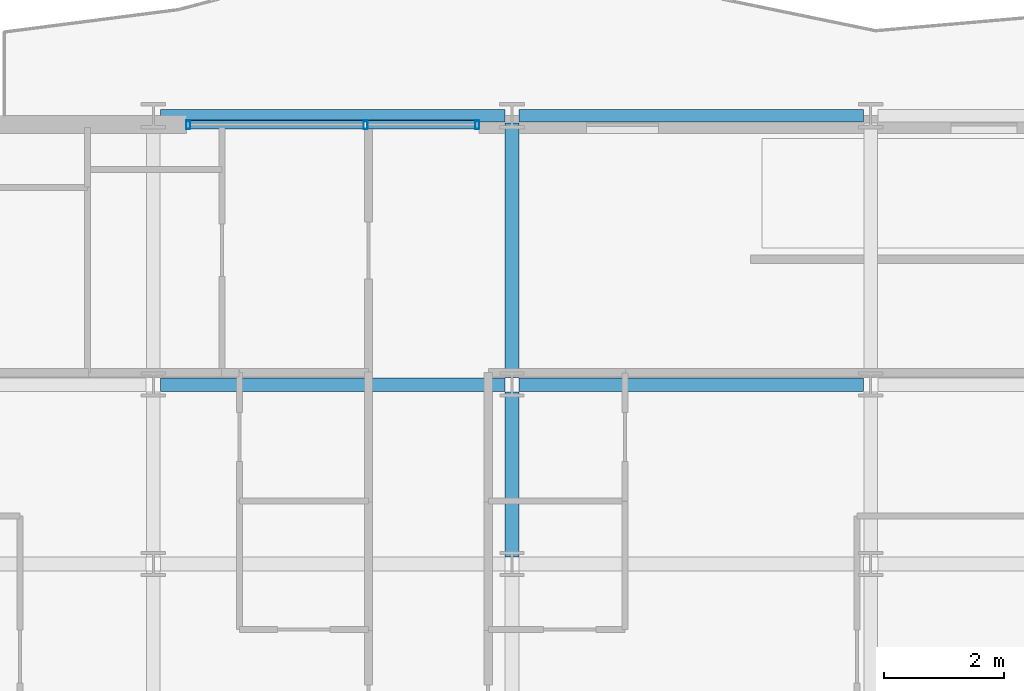
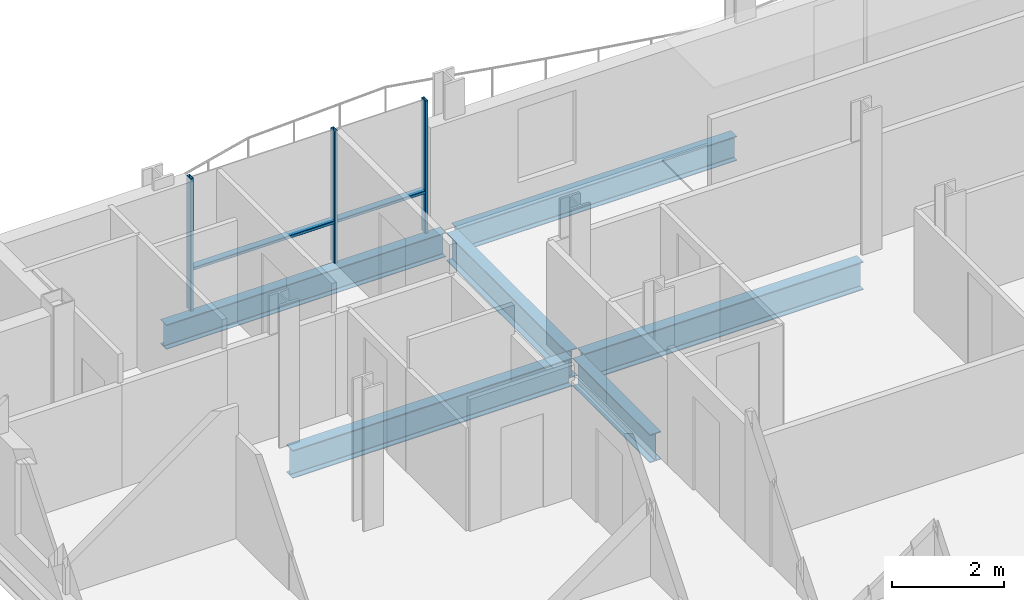
# One storey, part 7 of 39: 6 beams, 5 members, 1 element without a shape of its own.
"""IFC4 building model written with IfcOpenShell, lengths in metres."""

from ifc_helpers import new_model, si_unit, direction, frame, origin, origin_2d, place, context, subcontext, project, spatial, hollow_rectangle, i_section, extrude, material, layer, layer_set, material_profile, profile_set, type_object, element, aggregate, save


model = new_model("IFC4")

# Units and contexts
model_context = context("Model", 3, precision=1e-05, world=origin(), true_north=direction((0.0, 1.0)))
body_context = subcontext(model_context, "Body", "Model", "MODEL_VIEW")
ifc_project = project(units=[si_unit("LENGTHUNIT", "METRE"), si_unit("AREAUNIT", "SQUARE_METRE"), si_unit("VOLUMEUNIT", "CUBIC_METRE"), si_unit("PLANEANGLEUNIT", "RADIAN"), si_unit("MASSUNIT", "GRAM", prefix="KILO")], contexts=[model_context])

# Site, building, storey
site_placement = place(None, origin())
site = spatial("IfcSite", under=ifc_project, at=site_placement, CompositionType="ELEMENT")
building_placement = place(site_placement, origin())
building = spatial("IfcBuilding", under=site, at=building_placement, Name="Brevholm Reach", CompositionType="ELEMENT")
storey_placement = place(building_placement, frame((0.0, 0.0, 115.89990234375)))
storey = spatial("IfcBuildingStorey", under=building, at=storey_placement, Name="L34", CompositionType="ELEMENT", Elevation=115.89990234375)

# Beams
ifc_material_1 = material(Name="Structural Steel S355J2", Category="steel")
ifc_material_profile_1 = material_profile(ifc_material_1, i_section(OverallWidth=0.209228515625, OverallDepth=0.533203125, WebThickness=0.010009765625, FlangeThickness=0.015625, FilletRadius=0.0126953125, at=origin_2d()), Name="UKB 533x210x92")
ifc_profile_set_1 = profile_set([ifc_material_profile_1], Name="Structural Steel S355J2")
beam_type_1 = type_object("IfcBeamType", Name="BM-SP533", PredefinedType="SPANDREL", material=ifc_profile_set_1)
for number, where, z_axis, x_axis, name in (
    (1, (6.1201171875, 31.0, -0.486572265625), (1.0, 0.0, 0.0), (0.0, 1.0, 0.0), "L34 SP-02 Framing Beam"),
    (2, (12.1201171875, 31.0, -0.486572265625), (1.0, 0.0, 0.0), (0.0, 1.0, 0.0), "L34 SP-02 Framing Beam"),
):
    element("IfcBeam", number, at=place(storey_placement, frame(where, z_axis=z_axis, x_axis=x_axis)), inside=storey, type_object=beam_type_1, Name=name, PredefinedType="SPANDREL", context=body_context, shape_type="SweptSolid", body=[
        extrude(i_section(OverallWidth=0.209228515625, OverallDepth=0.533203125, WebThickness=0.010009765625, FlangeThickness=0.015625, FilletRadius=0.0126953125, at=origin_2d()), origin(), (0.0, 0.0, 1.0), 5.759765625),
    ])
ifc_material_2 = material(Name="Structural Steel S355J2", Category="steel")
ifc_material_profile_2 = material_profile(ifc_material_2, i_section(OverallWidth=0.22900390625, OverallDepth=0.6123046875, WebThickness=0.011962890625, FlangeThickness=0.01953125, FilletRadius=0.0126953125, at=origin_2d()), Name="UKB 610x229x125")
ifc_profile_set_2 = profile_set([ifc_material_profile_2], Name="Structural Steel S355J2")
beam_type_2 = type_object("IfcBeamType", Name="BM-SP610", PredefinedType="SPANDREL", material=ifc_profile_set_2)
for number, where, z_axis, x_axis, name in (
    (3, (6.1201171875, 26.5, -0.526123046875), (1.0, 0.0, 0.0), (0.0, 1.0, 0.0), "L34 SP-01 Framing Beam"),
    (4, (12.1201171875, 26.5, -0.526123046875), (1.0, 0.0, 0.0), (0.0, 1.0, 0.0), "L34 SP-01 Framing Beam"),
):
    element("IfcBeam", number, at=place(storey_placement, frame(where, z_axis=z_axis, x_axis=x_axis)), inside=storey, type_object=beam_type_2, Name=name, PredefinedType="SPANDREL", context=body_context, shape_type="SweptSolid", body=[
        extrude(i_section(OverallWidth=0.22900390625, OverallDepth=0.6123046875, WebThickness=0.011962890625, FlangeThickness=0.01953125, FilletRadius=0.0126953125, at=origin_2d()), origin(), (0.0, 0.0, 1.0), 5.759765625),
    ])
beam_1_placement = place(storey_placement, frame((12.0, 23.6201171875, -0.526123046875), z_axis=(0.0, 1.0, 0.0), x_axis=(-1.0, 0.0, 0.0)))
element("IfcBeam", 5, at=beam_1_placement, inside=storey, type_object=beam_type_2, Name="L34 SP-01 Framing Beam", PredefinedType="SPANDREL", context=body_context, shape_type="SweptSolid", body=[
    extrude(i_section(OverallWidth=0.22900390625, OverallDepth=0.6123046875, WebThickness=0.011962890625, FlangeThickness=0.01953125, FilletRadius=0.0126953125, at=origin_2d()), origin(), (0.0, 0.0, 1.0), 2.759765625),
])
beam_2_placement = place(storey_placement, frame((12.0, 26.6201171875, -0.526123046875), z_axis=(0.0, 1.0, 0.0), x_axis=(-1.0, 0.0, 0.0)))
element("IfcBeam", 6, at=beam_2_placement, inside=storey, type_object=beam_type_2, Name="L34 SP-01 Framing Beam", PredefinedType="SPANDREL", context=body_context, shape_type="SweptSolid", body=[
    extrude(i_section(OverallWidth=0.22900390625, OverallDepth=0.6123046875, WebThickness=0.011962890625, FlangeThickness=0.01953125, FilletRadius=0.0126953125, at=origin_2d()), origin(), (0.0, 0.0, 1.0), 4.259765625),
])

# Curtain wall, members
ifc_material_3 = material(Name="Dark Anodised Aluminium 6063-T6 and Solar-Control Glass", Category="aluminium")
ifc_layer = layer(ifc_material_3, 0.14990234375)
ifc_layer_set = layer_set([ifc_layer], Name="Dark Anodised Aluminium 6063-T6 and Solar-Control Glass")
curtain_wall_type = type_object("IfcCurtainWallType", Name="CW-01", PredefinedType="NOTDEFINED", material=ifc_layer_set)
curtain_wall_placement = place(storey_placement, origin())
curtain_wall = element("IfcCurtainWall", 7, at=curtain_wall_placement, inside=storey, type_object=curtain_wall_type, Name="L34 Curtain Wall CW-01", PredefinedType="NOTDEFINED")
ifc_material_4 = material(Name="Dark Anodised Aluminium 6063-T6", Category="aluminium")
ifc_material_profile_3 = material_profile(ifc_material_4, hollow_rectangle(XDim=0.06494140625, YDim=0.14990234375, WallThickness=0.0048828125, InnerFilletRadius=0.0048828125, OuterFilletRadius=0.010009765625, at=origin_2d()), Name="RHS 150x65x5")
ifc_profile_set_3 = profile_set([ifc_material_profile_3], Name="Dark Anodised Aluminium 6063-T6")
member_type_1 = type_object("IfcMemberType", Name="CWM-150", PredefinedType="MULLION", material=ifc_profile_set_3)
member_1_placement = place(storey_placement, frame((6.58251953125, 30.85009765625, 0.0), z_axis=(0.0, 0.0, 1.0), x_axis=(1.0, 0.0, 0.0)))
member_1 = element("IfcMember", 8, at=member_1_placement, type_object=member_type_1, Name="CM-150 Mullion 1", PredefinedType="MULLION", context=body_context, shape_type="SweptSolid", body=[
    extrude(hollow_rectangle(XDim=0.06494140625, YDim=0.14990234375, WallThickness=0.0048828125, InnerFilletRadius=0.0048828125, OuterFilletRadius=0.010009765625, at=origin_2d()), origin(), (0.0, 0.0, 1.0), 2.880126953125),
])
member_2_placement = place(storey_placement, frame((9.550048828125, 30.85009765625, 0.0), z_axis=(0.0, 0.0, 1.0), x_axis=(1.0, 0.0, 0.0)))
member_2 = element("IfcMember", 9, at=member_2_placement, type_object=member_type_1, Name="CM-150 Mullion 2", PredefinedType="MULLION", context=body_context, shape_type="SweptSolid", body=[
    extrude(hollow_rectangle(XDim=0.06494140625, YDim=0.14990234375, WallThickness=0.0048828125, InnerFilletRadius=0.0048828125, OuterFilletRadius=0.010009765625, at=origin_2d()), origin(), (0.0, 0.0, 1.0), 2.880126953125),
])
member_3_placement = place(storey_placement, frame((11.41748046875, 30.85009765625, 0.0), z_axis=(0.0, 0.0, 1.0), x_axis=(1.0, 0.0, 0.0)))
member_3 = element("IfcMember", 10, at=member_3_placement, type_object=member_type_1, Name="CM-150 Mullion 3", PredefinedType="MULLION", context=body_context, shape_type="SweptSolid", body=[
    extrude(hollow_rectangle(XDim=0.06494140625, YDim=0.14990234375, WallThickness=0.0048828125, InnerFilletRadius=0.0048828125, OuterFilletRadius=0.010009765625, at=origin_2d()), origin(), (0.0, 0.0, 1.0), 2.880126953125),
])
ifc_material_5 = material(Name="Dark Anodised Aluminium 6063-T6", Category="aluminium")
ifc_material_profile_4 = material_profile(ifc_material_5, hollow_rectangle(XDim=0.06494140625, YDim=0.14990234375, WallThickness=0.0048828125, InnerFilletRadius=0.0048828125, OuterFilletRadius=0.010009765625, at=origin_2d()), Name="RHS 150x65x5")
ifc_profile_set_4 = profile_set([ifc_material_profile_4], Name="Dark Anodised Aluminium 6063-T6")
member_type_2 = type_object("IfcMemberType", Name="CWT-150", PredefinedType="NOTDEFINED", material=ifc_profile_set_4)
member_4_placement = place(storey_placement, frame((6.614990234375, 30.85009765625, 0.900146484375), z_axis=(1.0, 0.0, 0.0), x_axis=(0.0, 0.0, 1.0)))
member_4 = element("IfcMember", 11, at=member_4_placement, type_object=member_type_2, Name="CT-150 Transom 1.1", ObjectType="TRANSOM", PredefinedType="USERDEFINED", context=body_context, shape_type="SweptSolid", body=[
    extrude(hollow_rectangle(XDim=0.06494140625, YDim=0.14990234375, WallThickness=0.0048828125, InnerFilletRadius=0.0048828125, OuterFilletRadius=0.010009765625, at=origin_2d()), origin(), (0.0, 0.0, 1.0), 2.902587890625),
])
member_5_placement = place(storey_placement, frame((9.58251953125, 30.85009765625, 0.900146484375), z_axis=(1.0, 0.0, 0.0), x_axis=(0.0, 0.0, 1.0)))
member_5 = element("IfcMember", 12, at=member_5_placement, type_object=member_type_2, Name="CT-150 Transom 2.1", ObjectType="TRANSOM", PredefinedType="USERDEFINED", context=body_context, shape_type="SweptSolid", body=[
    extrude(hollow_rectangle(XDim=0.06494140625, YDim=0.14990234375, WallThickness=0.0048828125, InnerFilletRadius=0.0048828125, OuterFilletRadius=0.010009765625, at=origin_2d()), origin(), (0.0, 0.0, 1.0), 1.802490234375),
])
aggregate(curtain_wall, [member_1, member_2, member_3, member_4, member_5])

save(model, "model.ifc")
